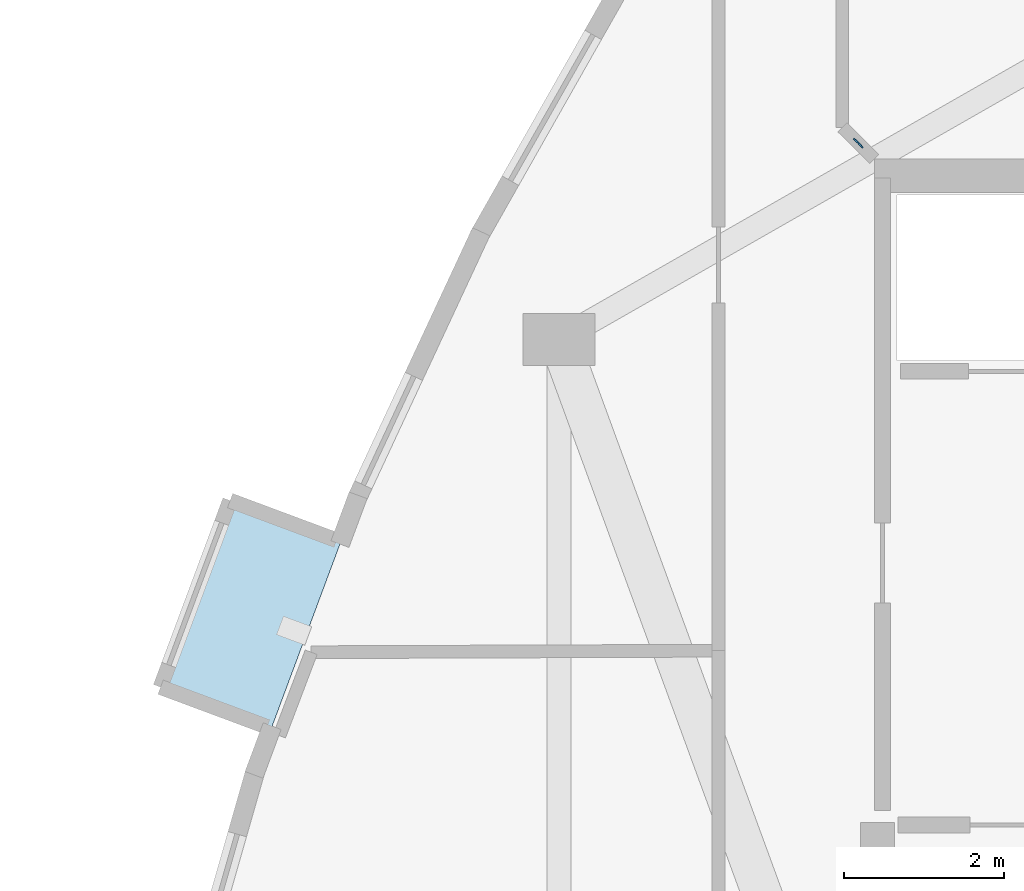
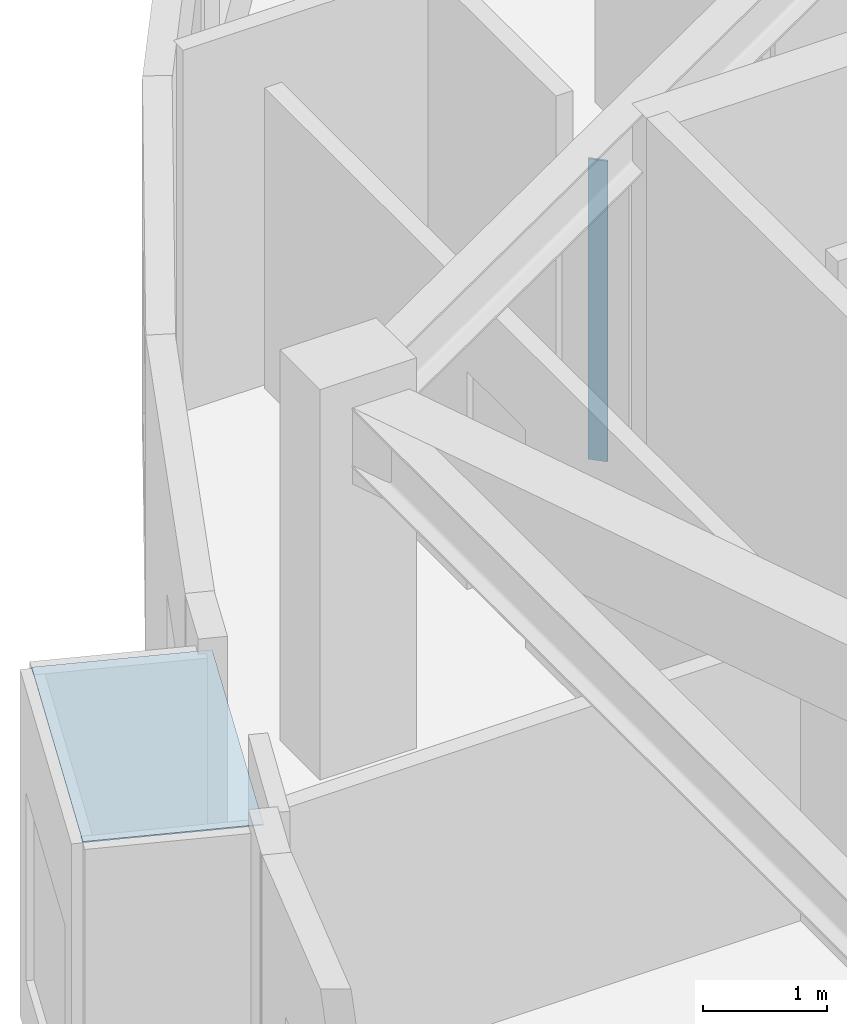
# One storey, part 3 of 9: 2 plates.
"""IFC4 building model written with IfcOpenShell, lengths in metres."""

from ifc_helpers import new_model, si_unit, direction, frame, origin, origin_2d, place, context, subcontext, project, spatial, polyline, rectangle, outline, extrude, material, layer, layer_set, type_object, element, save


model = new_model("IFC4")

# Units and contexts
model_context = context("Model", 3, precision=1e-05, world=origin(), true_north=direction((0.0, 1.0)))
body_context = subcontext(model_context, "Body", "Model", "MODEL_VIEW")
ifc_project = project(units=[si_unit("LENGTHUNIT", "METRE"), si_unit("AREAUNIT", "SQUARE_METRE"), si_unit("VOLUMEUNIT", "CUBIC_METRE"), si_unit("PLANEANGLEUNIT", "RADIAN"), si_unit("MASSUNIT", "GRAM", prefix="KILO")], contexts=[model_context])

# Site, building, storey
site_placement = place(None, origin())
site = spatial("IfcSite", under=ifc_project, at=site_placement, CompositionType="ELEMENT")
building_placement = place(site_placement, origin())
building = spatial("IfcBuilding", under=site, at=building_placement, Name="Miruveldt Soraemaru", CompositionType="ELEMENT")
storey_placement = place(building_placement, frame((0.0, 0.0, 267.39990234375)))
storey = spatial("IfcBuildingStorey", under=building, at=storey_placement, Name="L73", CompositionType="ELEMENT", Elevation=267.39990234375)

# Plates
ifc_material_1 = material(Name="Anodised aluminium EN AW-6063 T6", Category="aluminium")
ifc_layer_1 = layer(ifc_material_1, 0.02001953125, Name="Anodised aluminium EN AW-6063 T6", Category="aluminium")
ifc_layer_set_1 = layer_set([ifc_layer_1], Name="Anodised aluminium EN AW-6063 T6")
plate_type_1 = type_object("IfcPlateType", Name="PLT-PART-TRIM", PredefinedType="SHEET", material=ifc_layer_set_1)
plate_1_placement = place(storey_placement, frame((35.14990234375, 52.857421875, 0.0), z_axis=(0.0, 0.0, 1.0), x_axis=(0.711535677209, -0.702649969799, 0.0)))
element("IfcPlate", 1, at=plate_1_placement, inside=storey, type_object=plate_type_1, Name="L73 Partition Step Corner Trim Plate 001", PredefinedType="SHEET", context=body_context, shape_type="SweptSolid", body=[
    extrude(rectangle(XDim=0.159912109375, YDim=0.02001953125, at=origin_2d()), origin(), (0.0, 0.0, 1.0), 2.965087890625),
])
ifc_material_2 = material(Name="Standing-seam titanium-zinc sheet", Category="aluminium")
ifc_layer_2 = layer(ifc_material_2, 0.011962890625, Name="Standing-seam titanium-zinc sheet", Category="aluminium")
ifc_layer_set_2 = layer_set([ifc_layer_2], Name="Standing-seam titanium-zinc sheet")
plate_type_2 = type_object("IfcPlateType", Name="PLT-ZINC-12", PredefinedType="SHEET", material=ifc_layer_set_2)
plate_2_placement = place(storey_placement, frame((0.0, 0.0, 3.4150390625)))
element("IfcPlate", 2, at=plate_2_placement, inside=storey, type_object=plate_type_2, Name="L73 Bay Window Zinc Hood Sheet 1", PredefinedType="SHEET", context=body_context, shape_type="SweptSolid", body=[
    extrude(outline(polyline([(28.668212890625, 47.863525390625), (27.7978515625, 45.52734375), (26.410888671875, 46.0439453125), (27.28125, 48.380126953125), (28.668212890625, 47.863525390625)])), origin(), (0.0, 0.0, 1.0), 0.011962890625),
])

save(model, "model.ifc")
